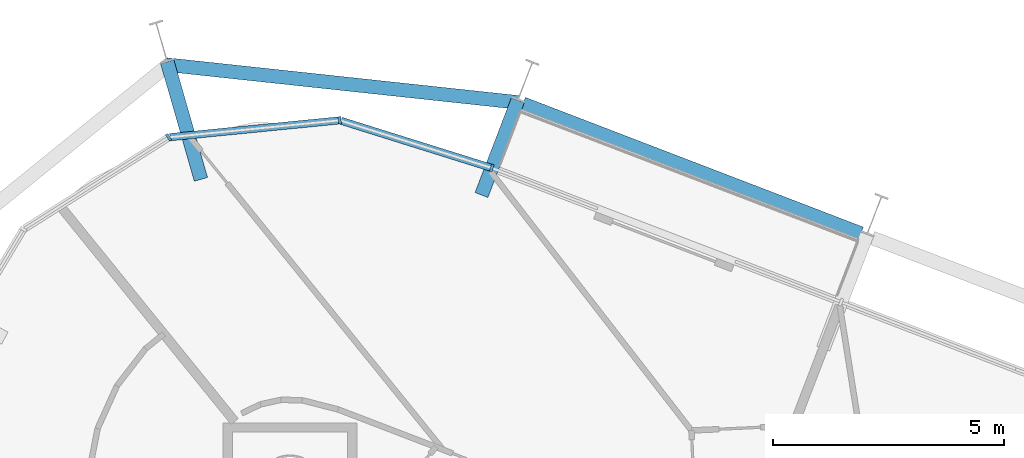
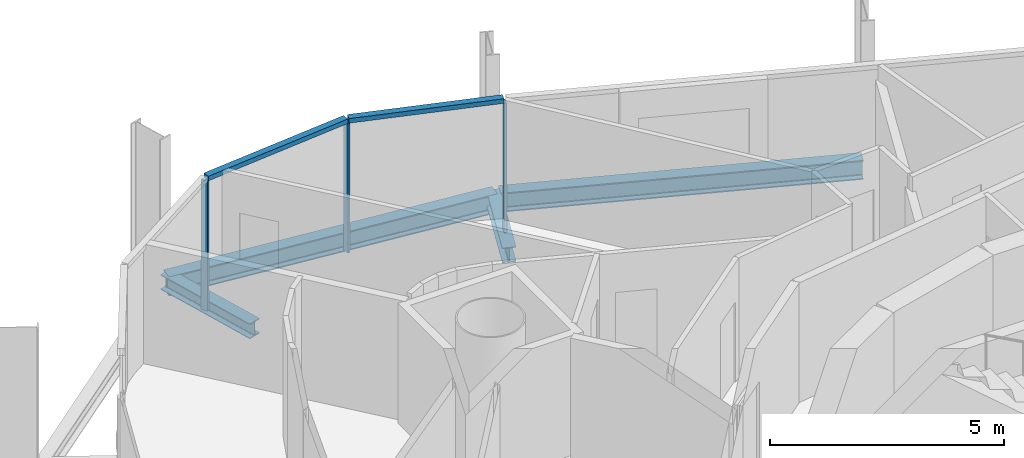
# One storey, part 8 of 18: 5 members, 4 beams, 1 element without a shape of its own.
"""IFC4 building model written with IfcOpenShell, lengths in metres."""

from ifc_helpers import new_model, si_unit, direction, frame, origin, origin_2d, place, context, subcontext, project, spatial, rectangle, i_section, extrude, material, layer, layer_set, material_profile, profile_set, type_object, element, aggregate, save


model = new_model("IFC4")

# Units and contexts
model_context = context("Model", 3, precision=1e-05, world=origin(), true_north=direction((0.0, 1.0)))
body_context = subcontext(model_context, "Body", "Model", "MODEL_VIEW")
ifc_project = project(units=[si_unit("LENGTHUNIT", "METRE"), si_unit("AREAUNIT", "SQUARE_METRE"), si_unit("VOLUMEUNIT", "CUBIC_METRE"), si_unit("PLANEANGLEUNIT", "RADIAN"), si_unit("MASSUNIT", "GRAM", prefix="KILO")], contexts=[model_context])

# Site, building, storey
site_placement = place(None, origin())
site = spatial("IfcSite", under=ifc_project, at=site_placement, CompositionType="ELEMENT")
building_placement = place(site_placement, origin())
building = spatial("IfcBuilding", under=site, at=building_placement, Name="Spindle Arch Residences", CompositionType="ELEMENT")
storey_placement = place(building_placement, frame((0.0, 0.0, 273.89990234375)))
storey = spatial("IfcBuildingStorey", under=building, at=storey_placement, Name="L70", CompositionType="ELEMENT", Elevation=273.89990234375)

# Curtain wall, members
ifc_material_1 = material(Name="Aluminium bronze unitised frame with tinted glass", Category="aluminium")
ifc_layer = layer(ifc_material_1, 0.159912109375)
ifc_layer_set = layer_set([ifc_layer], Name="CW-D corner wall on the fillet arcs")
curtain_wall_type = type_object("IfcCurtainWallType", Name="CW-D corner wall on the fillet arcs", PredefinedType="NOTDEFINED", material=ifc_layer_set)
curtain_wall_placement = place(storey_placement, origin())
curtain_wall = element("IfcCurtainWall", 1, at=curtain_wall_placement, inside=storey, type_object=curtain_wall_type, Name="CW-D L70 run 3", PredefinedType="NOTDEFINED")
ifc_material_2 = material(Name="Aluminium bronze anodised mullion", Category="aluminium")
ifc_material_profile_1 = material_profile(ifc_material_2, rectangle(XDim=0.159912109375, YDim=0.06005859375, at=origin_2d()), Name="MU 60x160")
ifc_profile_set_1 = profile_set([ifc_material_profile_1], Name="Aluminium bronze anodised mullion")
member_type_1 = type_object("IfcMemberType", Name="Bronze mullion 60x160", PredefinedType="MULLION", material=ifc_profile_set_1)
member_1_placement = place(storey_placement, frame((-7.577880859375, 21.73583984375, -0.3798828125), z_axis=(0.0, 0.0, 1.0), x_axis=(-0.298802665594, -0.954314920262, 0.0)))
member_1 = element("IfcMember", 2, at=member_1_placement, type_object=member_type_1, Name="CW-D mullion 00", PredefinedType="MULLION", context=body_context, shape_type="SweptSolid", body=[
    extrude(rectangle(XDim=0.159912109375, YDim=0.06005859375, at=origin_2d()), origin(), (0.0, 0.0, 1.0), 3.3798828125),
])
member_2_placement = place(storey_placement, frame((-10.874755859375, 22.768310546875, -0.3798828125), z_axis=(0.0, 0.0, 1.0), x_axis=(0.098740832762, -0.995113183485, 0.0)))
member_2 = element("IfcMember", 3, at=member_2_placement, type_object=member_type_1, Name="CW-D mullion 01", PredefinedType="MULLION", context=body_context, shape_type="SweptSolid", body=[
    extrude(rectangle(XDim=0.159912109375, YDim=0.06005859375, at=origin_2d()), origin(), (0.0, 0.0, 1.0), 3.3798828125),
])
member_3_placement = place(storey_placement, frame((-14.58349609375, 22.400390625, -0.3798828125), z_axis=(0.0, 0.0, 1.0), x_axis=(0.534844015322, -0.844950814707, 0.0)))
member_3 = element("IfcMember", 4, at=member_3_placement, type_object=member_type_1, Name="CW-D mullion 02", PredefinedType="MULLION", context=body_context, shape_type="SweptSolid", body=[
    extrude(rectangle(XDim=0.159912109375, YDim=0.06005859375, at=origin_2d()), origin(), (0.0, 0.0, 1.0), 3.3798828125),
])
ifc_material_3 = material(Name="Aluminium bronze anodised transom", Category="aluminium")
ifc_material_profile_2 = material_profile(ifc_material_3, rectangle(XDim=0.159912109375, YDim=0.1201171875, at=origin_2d()), Name="TR 120x160")
ifc_profile_set_2 = profile_set([ifc_material_profile_2], Name="Aluminium bronze anodised transom")
member_type_2 = type_object("IfcMemberType", Name="Bronze transom 120x160", PredefinedType="USERDEFINED", material=ifc_profile_set_2)
member_4_placement = place(storey_placement, frame((-7.6064453125, 21.744873046875, 3.06005859375), z_axis=(-0.95431347792, 0.298807272099, 0.0), x_axis=(-0.298807272099, -0.95431347792, 0.0)))
member_4 = element("IfcMember", 5, at=member_4_placement, type_object=member_type_2, Name="CW-D transom 00", ObjectType="TRANSOM", PredefinedType="USERDEFINED", context=body_context, shape_type="SweptSolid", body=[
    extrude(rectangle(XDim=0.159912109375, YDim=0.1201171875, at=origin_2d()), origin(), (0.0, 0.0, 1.0), 3.394775390625),
])
member_5_placement = place(storey_placement, frame((-10.90478515625, 22.765380859375, 3.06005859375), z_axis=(-0.99511271598, -0.098745544182, 0.0), x_axis=(0.098745544182, -0.99511271598, 0.0)))
member_5 = element("IfcMember", 6, at=member_5_placement, type_object=member_type_2, Name="CW-D transom 01", ObjectType="TRANSOM", PredefinedType="USERDEFINED", context=body_context, shape_type="SweptSolid", body=[
    extrude(rectangle(XDim=0.159912109375, YDim=0.1201171875, at=origin_2d()), origin(), (0.0, 0.0, 1.0), 3.66650390625),
])
aggregate(curtain_wall, [member_1, member_4, member_2, member_5, member_3])

# Beams
ifc_material_4 = material(Name="Steel S460ML, intumescent coating R 120", Category="steel")
ifc_material_profile_3 = material_profile(ifc_material_4, i_section(OverallWidth=0.300048828125, OverallDepth=0.5, WebThickness=0.014404296875, FlangeThickness=0.028076171875, FilletRadius=0.027099609375, at=origin_2d()), Name="HEB 500")
ifc_profile_set_3 = profile_set([ifc_material_profile_3], Name="Steel S460ML, intumescent coating R 120")
beam_type_1 = type_object("IfcBeamType", Name="Exoskeleton edge beam HEB 500", PredefinedType="BEAM", material=ifc_profile_set_3)
beam_1_placement = place(storey_placement, frame((0.421875, 20.314697265625, -0.6298828125), z_axis=(-0.933573929793, 0.358384873579, 0.0), x_axis=(-0.358384873579, -0.933573929793, 0.0)))
element("IfcBeam", 7, at=beam_1_placement, inside=storey, type_object=beam_type_1, Name="Exoskeleton edge beam 8", PredefinedType="BEAM", context=body_context, shape_type="SweptSolid", body=[
    extrude(i_section(OverallWidth=0.300048828125, OverallDepth=0.5, WebThickness=0.014404296875, FlangeThickness=0.028076171875, FilletRadius=0.027099609375, at=origin_2d()), origin(), (0.0, 0.0, 1.0), 7.84765625),
])
beam_2_placement = place(storey_placement, frame((-7.004150390625, 23.156005859375, -0.6298828125), z_axis=(-0.994272602523, 0.106873719275, 0.0), x_axis=(-0.106873719275, -0.994272602523, 0.0)))
element("IfcBeam", 8, at=beam_2_placement, inside=storey, type_object=beam_type_1, Name="Exoskeleton edge beam 9", PredefinedType="BEAM", context=body_context, shape_type="SweptSolid", body=[
    extrude(i_section(OverallWidth=0.300048828125, OverallDepth=0.5, WebThickness=0.014404296875, FlangeThickness=0.028076171875, FilletRadius=0.027099609375, at=origin_2d()), origin(), (0.0, 0.0, 1.0), 7.668701171875),
])
ifc_material_5 = material(Name="Steel S460ML, intumescent coating R 120", Category="steel")
ifc_material_profile_4 = material_profile(ifc_material_5, i_section(OverallWidth=0.300048828125, OverallDepth=0.389892578125, WebThickness=0.010986328125, FlangeThickness=0.01904296875, FilletRadius=0.027099609375, at=origin_2d()), Name="HEA 400")
ifc_profile_set_4 = profile_set([ifc_material_profile_4], Name="Steel S460ML, intumescent coating R 120")
beam_type_2 = type_object("IfcBeamType", Name="Floor outrigger HEA 400", PredefinedType="BEAM", material=ifc_profile_set_4)
beam_3_placement = place(storey_placement, frame((-7.01513671875, 23.20166015625, -0.574951171875), z_axis=(-0.358391076308, -0.933571548636, 0.0), x_axis=(0.933571548636, -0.358391076308, 0.0)))
element("IfcBeam", 9, at=beam_3_placement, inside=storey, type_object=beam_type_2, Name="Floor outrigger 9", PredefinedType="BEAM", context=body_context, shape_type="SweptSolid", body=[
    extrude(i_section(OverallWidth=0.300048828125, OverallDepth=0.389892578125, WebThickness=0.010986328125, FlangeThickness=0.01904296875, FilletRadius=0.027099609375, at=origin_2d()), origin(), (0.0, 0.0, 1.0), 2.1982421875),
])
beam_4_placement = place(storey_placement, frame((-14.61328125, 24.03662109375, -0.574951171875), z_axis=(0.275730877709, -0.961234874044, 0.0), x_axis=(0.961234874044, 0.275730877709, 0.0)))
element("IfcBeam", 10, at=beam_4_placement, inside=storey, type_object=beam_type_2, Name="Floor outrigger 10", PredefinedType="BEAM", context=body_context, shape_type="SweptSolid", body=[
    extrude(i_section(OverallWidth=0.300048828125, OverallDepth=0.389892578125, WebThickness=0.010986328125, FlangeThickness=0.01904296875, FilletRadius=0.027099609375, at=origin_2d()), origin(), (0.0, 0.0, 1.0), 2.650146484375),
])

save(model, "model.ifc")
